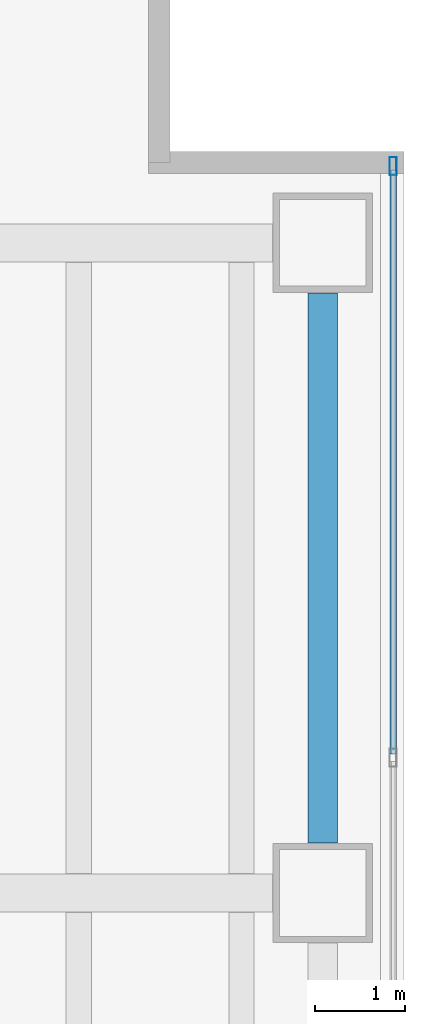
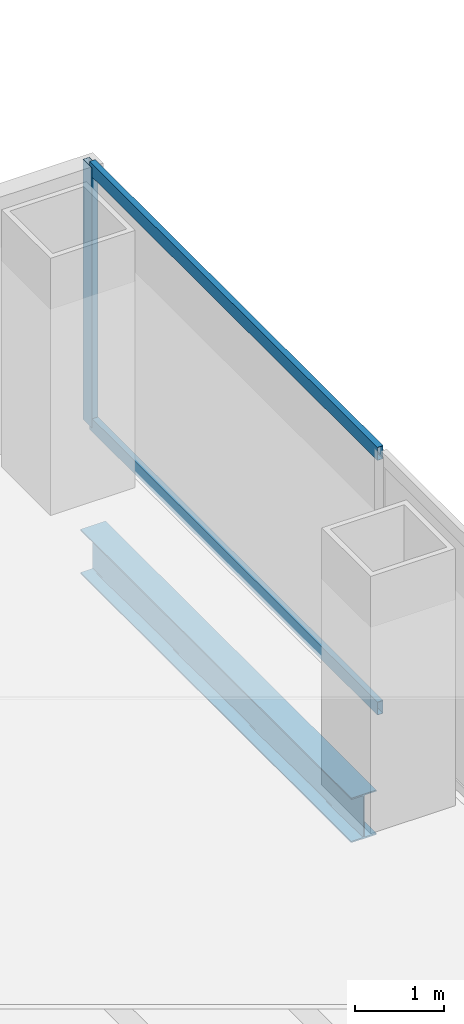
# One storey, part 13 of 24: 3 members, 1 beam, 1 element without a shape of its own.
"""IFC4 building model written with IfcOpenShell, lengths in metres."""

import ifcopenshell
import ifcopenshell.guid

model = None  # the IFC model being written
_history = None  # IfcOwnerHistory: only IFC2X3 demands one
_inside = {}  # id of a spatial element -> (the spatial element, [elements in it])
_under = {}  # id of a project, library or spatial element -> (it, [spatial elements below it])
_declared = {}  # id of a project -> (the project, [libraries it declares])
_typed = {}  # id of a type object -> (the type object, [elements of that type])
_made_of = {}  # id of a material, layer set ... -> (it, [elements and type objects made of it])


def new_model(schema):
    """Start an empty IFC model of exactly this schema.

    Asked for "IFC4X3", IfcOpenShell would pick the latest addendum, in which some entities
    have other attributes; the version numbers below select the first issue.
    IFC2X3 requires an IfcOwnerHistory on every rooted entity: one is made here for all.
    """
    global model, _history
    if schema == "IFC4X3":
        model = ifcopenshell.file(schema_version=(4, 3, 0, 0))
    else:
        model = ifcopenshell.file(schema=schema)
    _inside.clear()
    _under.clear()
    _declared.clear()
    _typed.clear()
    _made_of.clear()
    _history = None
    if model.schema == "IFC2X3":
        org = make("IfcOrganization", Name="unknown")
        user = make(
            "IfcPersonAndOrganization",
            ThePerson=make("IfcPerson", FamilyName="unknown"),
            TheOrganization=org,
        )
        app = make(
            "IfcApplication",
            ApplicationDeveloper=org,
            Version="unknown",
            ApplicationFullName="unknown",
            ApplicationIdentifier="unknown",
        )
        _history = make(
            "IfcOwnerHistory",
            OwningUser=user,
            OwningApplication=app,
            ChangeAction="ADDED",
            CreationDate=0,
        )
    return model


def make(cls, **values):
    """One entity of the class cls with the attributes given. An attribute that is None is left unset."""
    return model.create_entity(
        cls, **{name: value for name, value in values.items() if value is not None}
    )


def rooted(cls, **values):
    """An entity with a GlobalId (a new one), such as an element, a storey or a relation."""
    return make(cls, GlobalId=ifcopenshell.guid.new(), OwnerHistory=_history, **values)


def si_unit(unit_type, name, prefix=None):
    """IfcSIUnit, for example si_unit("LENGTHUNIT", "METRE", prefix="MILLI")."""
    return make("IfcSIUnit", UnitType=unit_type, Prefix=prefix, Name=name)


def assignment(units):
    """IfcUnitAssignment: the units of a project."""
    return None if units is None else make("IfcUnitAssignment", Units=units)


def point(xyz):
    """IfcCartesianPoint."""
    return None if xyz is None else make("IfcCartesianPoint", Coordinates=xyz)


def direction(xyz):
    """IfcDirection."""
    return None if xyz is None else make("IfcDirection", DirectionRatios=xyz)


def frame(location, z_axis=None, x_axis=None):
    """IfcAxis2Placement3D, a coordinate frame: its origin and axes. An axis left out is left unset."""
    return make(
        "IfcAxis2Placement3D",
        Location=point(location),
        Axis=direction(z_axis),
        RefDirection=direction(x_axis),
    )


def frame_2d(location, x_axis=None):
    """IfcAxis2Placement2D, a coordinate frame in the plane: its origin and x axis."""
    return make(
        "IfcAxis2Placement2D", Location=point(location), RefDirection=direction(x_axis)
    )


def origin():
    """The frame at (0, 0, 0) with its axes left unset."""
    return frame((0.0, 0.0, 0.0))


def origin_2d():
    """The frame at (0, 0) in the plane with its x axis left unset."""
    return frame_2d((0.0, 0.0))


def place(relative_to, where):
    """IfcLocalPlacement: puts the frame where relative to a parent placement (None: the world)."""
    return make(
        "IfcLocalPlacement", PlacementRelTo=relative_to, RelativePlacement=where
    )


def context(
    kind, dimensions, precision=None, world=None, true_north=None, identifier=None
):
    """IfcGeometricRepresentationContext, for example the 3D "Model" context."""
    return make(
        "IfcGeometricRepresentationContext",
        ContextIdentifier=identifier,
        ContextType=kind,
        CoordinateSpaceDimension=dimensions,
        Precision=precision,
        WorldCoordinateSystem=world,
        TrueNorth=true_north,
    )


def subcontext(parent, identifier, kind, view, scale=None):
    """IfcGeometricRepresentationSubContext, for example "Body" below "Model"."""
    return make(
        "IfcGeometricRepresentationSubContext",
        ContextIdentifier=identifier,
        ContextType=kind,
        ParentContext=parent,
        TargetScale=scale,
        TargetView=view,
    )


def project(units=None, contexts=None):
    """IfcProject with its units and contexts."""
    return rooted(
        "IfcProject",
        Name="project",
        RepresentationContexts=contexts,
        UnitsInContext=assignment(units),
    )


def spatial(cls, under=None, at=None, **own):
    """A site, building, storey or space (cls), placed at a placement, below another one or the project."""
    s = rooted(cls, ObjectPlacement=at, **own)
    if under is not None:
        _under.setdefault(under.id(), (under, []))[1].append(s)
    return s


def profile(cls, at=None, kind="AREA", **sizes):
    """A parametric profile (cls). Its sizes go by their IFC names, for example OverallWidth=200.0."""
    return make(cls, ProfileType=kind, Position=at, **sizes)


def hollow_rectangle(**sizes):
    """IfcRectangleHollowProfileDef."""
    return profile("IfcRectangleHollowProfileDef", **sizes)


def i_section(**sizes):
    """IfcIShapeProfileDef."""
    return profile("IfcIShapeProfileDef", **sizes)


def extrude(swept, where, along, depth):
    """IfcExtrudedAreaSolid: the profile swept, set in the frame where, extruded along a direction by depth."""
    return make(
        "IfcExtrudedAreaSolid",
        SweptArea=swept,
        Position=where,
        ExtrudedDirection=direction(along),
        Depth=depth,
    )


def shape(context_of_items, identifier, shape_type, items):
    """IfcShapeRepresentation: the items that make up one representation, for example the "Body"."""
    return make(
        "IfcShapeRepresentation",
        ContextOfItems=context_of_items,
        RepresentationIdentifier=identifier,
        RepresentationType=shape_type,
        Items=items,
    )


def material(Name=None, Category=None):
    """IfcMaterial."""
    return make("IfcMaterial", Name=Name, Category=Category)


def material_profile(
    of_material, cross_section, Name=None, Category=None, Priority=None
):
    """IfcMaterialProfile: a cross section and its material."""
    return make(
        "IfcMaterialProfile",
        Name=Name,
        Material=of_material,
        Profile=cross_section,
        Priority=Priority,
        Category=Category,
    )


def profile_set(profiles, Name=None, composite=None):
    """IfcMaterialProfileSet."""
    return make(
        "IfcMaterialProfileSet",
        Name=Name,
        MaterialProfiles=profiles,
        CompositeProfile=composite,
    )


def made_of(thing, what):
    """Note that an element or type object is made of a material, layer set ...; save() writes the relation."""
    if what is not None:
        _made_of.setdefault(what.id(), (what, []))[1].append(thing)
    return thing


def type_object(cls, material=None, **own):
    """A type object (cls), such as IfcWallType, which elements share."""
    return made_of(rooted(cls, **own), material)


def element(
    cls,
    number,
    at=None,
    inside=None,
    cuts=None,
    type_object=None,
    material=None,
    context=None,
    identifier="Body",
    shape_type=None,
    held_by="IfcProductDefinitionShape",
    body=None,
    shapes=None,
    **own,
):
    """One element of the class cls, such as IfcWall. Its Tag is "e" and its number.

    at: its placement. inside: the storey or other place that contains it. cuts: it is an
    opening in that element (IfcRelVoidsElement). A single representation is given by context,
    identifier, shape_type and body (its items); several are given by shapes. held_by: the class
    of the entity that holds the representations. save() writes the other relations.
    """
    e = rooted(cls, Tag="e%d" % number, ObjectPlacement=at, **own)
    if body is not None:
        shapes = [shape(context, identifier, shape_type, body)]
    if shapes is not None:
        e.Representation = make(held_by, Representations=shapes)
    if inside is not None:
        _inside.setdefault(inside.id(), (inside, []))[1].append(e)
    if cuts is not None:
        rooted(
            "IfcRelVoidsElement", RelatingBuildingElement=cuts, RelatedOpeningElement=e
        )
    if type_object is not None:
        _typed.setdefault(type_object.id(), (type_object, []))[1].append(e)
    return made_of(e, material)


def aggregate(whole, parts):
    """IfcRelAggregates: a whole, such as a stair, and the parts it consists of."""
    return rooted("IfcRelAggregates", RelatingObject=whole, RelatedObjects=parts)


def save(model, path):
    """Write the relations noted so far, then the file.

    IfcRelAggregates (storeys below a building ...), IfcRelContainedInSpatialStructure (elements
    in a storey), IfcRelDefinesByType, IfcRelAssociatesMaterial and IfcRelDeclares: one each for
    every whole, place, type object, material and project.
    """
    for whole, parts in _under.values():
        aggregate(whole, parts)
    for where, things in _inside.values():
        rooted(
            "IfcRelContainedInSpatialStructure",
            RelatedElements=things,
            RelatingStructure=where,
        )
    for kind, things in _typed.values():
        rooted("IfcRelDefinesByType", RelatedObjects=things, RelatingType=kind)
    for what, things in _made_of.values():
        rooted("IfcRelAssociatesMaterial", RelatedObjects=things, RelatingMaterial=what)
    for by, libraries in _declared.values():
        rooted("IfcRelDeclares", RelatingContext=by, RelatedDefinitions=libraries)
    model.write(path)


model = new_model("IFC4")

# Units and contexts
model_context = context("Model", 3, precision=1e-05, world=origin(), true_north=direction((0.0, 1.0)))
body_context = subcontext(model_context, "Body", "Model", "MODEL_VIEW")
ifc_project = project(units=[si_unit("LENGTHUNIT", "METRE"), si_unit("AREAUNIT", "SQUARE_METRE"), si_unit("VOLUMEUNIT", "CUBIC_METRE"), si_unit("PLANEANGLEUNIT", "RADIAN"), si_unit("MASSUNIT", "GRAM", prefix="KILO")], contexts=[model_context])

# Site, building, storey
site_placement = place(None, origin())
site = spatial("IfcSite", under=ifc_project, at=site_placement, CompositionType="ELEMENT")
building_placement = place(site_placement, origin())
building = spatial("IfcBuilding", under=site, at=building_placement, Name="Cobrela Telecom Tower", CompositionType="ELEMENT")
storey_placement = place(building_placement, frame((0.0, 0.0, 31.14990234375)))
storey = spatial("IfcBuildingStorey", under=building, at=storey_placement, Name="L07", CompositionType="ELEMENT", Elevation=31.14990234375)

# Beam
ifc_material_1 = material(Name="Steel ASTM A992 Grade 50", Category="steel")
ifc_material_profile_1 = material_profile(ifc_material_1, i_section(OverallWidth=0.324951171875, OverallDepth=0.612060546875, WebThickness=0.0126953125, FlangeThickness=0.01904296875, FilletRadius=0.014892578125, at=origin_2d()), Name="W24X104")
ifc_profile_set_1 = profile_set([ifc_material_profile_1], Name="Steel ASTM A992 Grade 50")
beam_type = type_object("IfcBeamType", Name="BM-SPAND-02", PredefinedType="SPANDREL", material=ifc_profile_set_1)
beam_placement = place(storey_placement, frame((49.5, 14.955078125, -0.5859375), z_axis=(0.0, 1.0, 0.0), x_axis=(-1.0, 0.0, 0.0)))
element("IfcBeam", 1, at=beam_placement, inside=storey, type_object=beam_type, Name="L07 Perimeter Spandrel Y37", PredefinedType="SPANDREL", context=body_context, shape_type="SweptSolid", body=[
    extrude(i_section(OverallWidth=0.324951171875, OverallDepth=0.612060546875, WebThickness=0.0126953125, FlangeThickness=0.01904296875, FilletRadius=0.014892578125, at=origin_2d()), origin(), (0.0, 0.0, 1.0), 6.08984375),
])

# Curtain wall, members
ifc_material_2 = material(Name="Anodized Bronze Aluminium 6063-T6", Category="aluminium")
curtain_wall_type = type_object("IfcCurtainWallType", Name="CW-SYS-DATA", PredefinedType="USERDEFINED", material=ifc_material_2)
curtain_wall_placement = place(storey_placement, origin())
curtain_wall = element("IfcCurtainWall", 2, at=curtain_wall_placement, inside=storey, type_object=curtain_wall_type, Name="L07 Unitised Bronze Curtain Wall 14", ObjectType="UNITISED CURTAIN WALL", PredefinedType="USERDEFINED")
ifc_material_profile_2 = material_profile(ifc_material_2, hollow_rectangle(XDim=0.080078125, YDim=0.199951171875, WallThickness=0.00390625, at=origin_2d()), Name="ALU 80x200x4")
ifc_profile_set_2 = profile_set([ifc_material_profile_2], Name="Anodized Bronze Aluminium 6063-T6")
member_type_1 = type_object("IfcMemberType", Name="CW-SYS-DATA-MUL", PredefinedType="MULLION", material=ifc_profile_set_2)
member_1_placement = place(storey_placement, frame((50.280029296875, 22.449951171875, 0.0), z_axis=(0.0, 0.0, 1.0), x_axis=(1.0, 0.0, 0.0)))
member_1 = element("IfcMember", 3, at=member_1_placement, type_object=member_type_1, Name="CW-DATA mullion 1", PredefinedType="MULLION", context=body_context, shape_type="SweptSolid", body=[
    extrude(hollow_rectangle(XDim=0.080078125, YDim=0.199951171875, WallThickness=0.00390625, at=origin_2d()), origin(), (0.0, 0.0, 1.0), 3.570068359375),
])
ifc_material_profile_3 = material_profile(ifc_material_2, hollow_rectangle(XDim=0.074951171875, YDim=0.179931640625, WallThickness=0.00390625, at=origin_2d()), Name="ALU 75x180x4")
ifc_profile_set_3 = profile_set([ifc_material_profile_3], Name="Anodized Bronze Aluminium 6063-T6")
member_type_2 = type_object("IfcMemberType", Name="CW-SYS-DATA-TRN", PredefinedType="USERDEFINED", material=ifc_profile_set_3)
member_2_placement = place(storey_placement, frame((50.280029296875, 22.409912109375, 0.03759765625), z_axis=(0.0, -1.0, 0.0), x_axis=(1.0, 0.0, 0.0)))
member_2 = element("IfcMember", 4, at=member_2_placement, type_object=member_type_2, Name="CW-DATA transom 1.1", ObjectType="TRANSOM", PredefinedType="USERDEFINED", context=body_context, shape_type="SweptSolid", body=[
    extrude(hollow_rectangle(XDim=0.074951171875, YDim=0.179931640625, WallThickness=0.00390625, at=origin_2d()), origin(), (0.0, 0.0, 1.0), 6.47314453125),
])
member_3_placement = place(storey_placement, frame((50.280029296875, 22.409912109375, 3.53271484375), z_axis=(0.0, -1.0, 0.0), x_axis=(1.0, 0.0, 0.0)))
member_3 = element("IfcMember", 5, at=member_3_placement, type_object=member_type_2, Name="CW-DATA transom 1.2", ObjectType="TRANSOM", PredefinedType="USERDEFINED", context=body_context, shape_type="SweptSolid", body=[
    extrude(hollow_rectangle(XDim=0.074951171875, YDim=0.179931640625, WallThickness=0.00390625, at=origin_2d()), origin(), (0.0, 0.0, 1.0), 6.47314453125),
])
aggregate(curtain_wall, [member_1, member_2, member_3])

save(model, "model.ifc")
